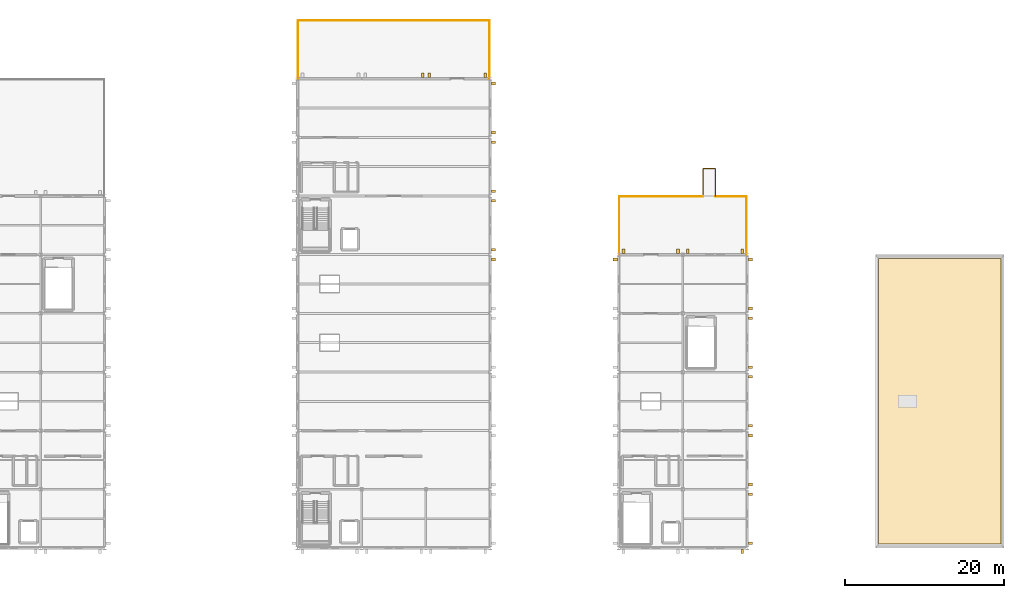
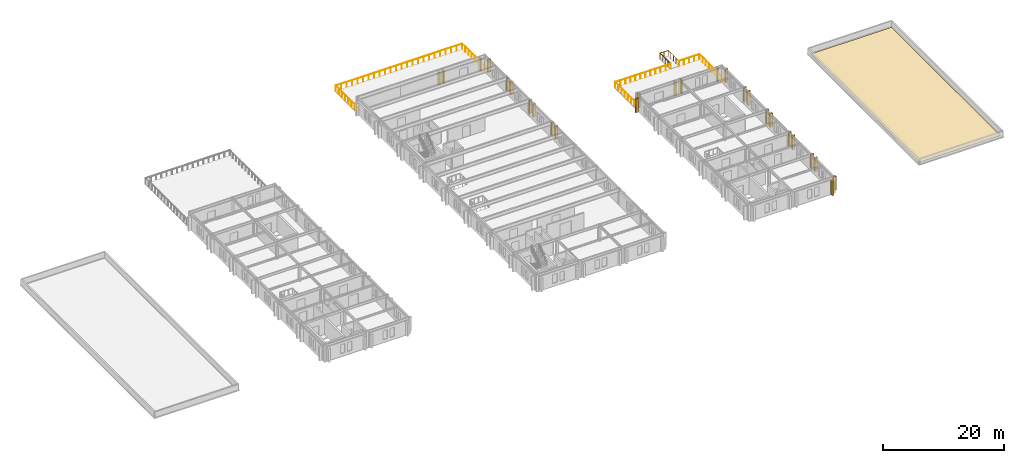
# One storey, part 19 of 19: 26 shading devices, 4 railings, 1 covering.
"""IFC4 building model written with IfcOpenShell, lengths in metres."""

from ifc_helpers import new_model, si_unit, direction, frame, origin, origin_2d, place, context, subcontext, project, spatial, rectangle, circle, extrude, material, layer, layer_set, type_object, element, save


model = new_model("IFC4")

# Units and contexts
model_context = context("Model", 3, precision=1e-05, world=origin(), true_north=direction((0.0, 1.0)))
body_context = subcontext(model_context, "Body", "Model", "MODEL_VIEW")
ifc_project = project(units=[si_unit("LENGTHUNIT", "METRE"), si_unit("AREAUNIT", "SQUARE_METRE"), si_unit("VOLUMEUNIT", "CUBIC_METRE"), si_unit("PLANEANGLEUNIT", "RADIAN"), si_unit("MASSUNIT", "GRAM", prefix="KILO")], contexts=[model_context])

# Site, building, storey
site_placement = place(None, origin())
site = spatial("IfcSite", under=ifc_project, at=site_placement, CompositionType="ELEMENT")
building_placement = place(site_placement, origin())
building = spatial("IfcBuilding", under=site, at=building_placement, Name="Cimatlan Art Gallery", CompositionType="ELEMENT")
storey_placement = place(building_placement, frame((0.0, 0.0, 17.39990234375)))
storey = spatial("IfcBuildingStorey", under=building, at=storey_placement, Name="L04", CompositionType="ELEMENT", Elevation=17.39990234375)

# Covering
ifc_material_1 = material(Name="Standing-seam patinated zinc roofing")
ifc_layer = layer(ifc_material_1, 0.02490234375)
ifc_layer_set = layer_set([ifc_layer], Name="Standing-seam patinated zinc roofing")
covering_type = type_object("IfcCoveringType", Name="COV-ROOF-ZINC-25", PredefinedType="ROOFING", material=ifc_layer_set)
covering_placement = place(storey_placement, frame((155.89990234375, 42.39990234375, 0.000244140625), z_axis=(0.0, 0.0, 1.0), x_axis=(1.0, 0.0, 0.0)))
element("IfcCovering", 1, at=covering_placement, inside=storey, type_object=covering_type, Name="RFG-B5", PredefinedType="ROOFING", context=body_context, shape_type="SweptSolid", body=[
    extrude(rectangle(XDim=15.39990234375, YDim=36.0, at=origin_2d()), origin(), (0.0, 0.0, 1.0), 0.02490234375),
])

# Railings
ifc_material_2 = material(Name="Anodised bronze and laminated glass balustrade", Category="glass")
railing_type = type_object("IfcRailingType", Name="RL-BAL-EXT-1100", PredefinedType="BALUSTRADE", material=ifc_material_2)
railing_1_placement = place(storey_placement, frame((126.0400390625, 68.300048828125, 0.0)))
element("IfcRailing", 2, at=railing_1_placement, inside=storey, type_object=railing_type, Name="RMP-TER-U4-GR-L5", PredefinedType="BALUSTRADE", context=body_context, shape_type="SweptSolid", body=[
    extrude(circle(Radius=0.02587890625, at=origin_2d()), frame((0.0, 0.0, 1.09423828125), z_axis=(0.0, 1.0, 0.0), x_axis=(-1.0, 0.0, 0.0)), (0.0, 0.0, 1.0), 3.449951171875),
    extrude(circle(Radius=0.02587890625, at=origin_2d()), frame((0.0, 3.449951171875, 1.09423828125), z_axis=(1.0, 0.0, 0.0), x_axis=(0.0, 1.0, 0.0)), (0.0, 0.0, 1.0), 1.550048828125),
    extrude(circle(Radius=0.02587890625, at=origin_2d()), frame((1.550048828125, 3.449951171875, 1.09423828125), z_axis=(0.0, -1.0, 0.0), x_axis=(1.0, 0.0, 0.0)), (0.0, 0.0, 1.0), 3.449951171875),
    extrude(circle(Radius=0.02099609375, at=origin_2d()), origin(), (0.0, 0.0, 1.0), 1.068115234375),
    extrude(circle(Radius=0.02099609375, at=origin_2d()), frame((0.0, 0.862548828125, 0.0)), (0.0, 0.0, 1.0), 1.068115234375),
    extrude(circle(Radius=0.02099609375, at=origin_2d()), frame((0.0, 1.72509765625, 0.0)), (0.0, 0.0, 1.0), 1.068115234375),
    extrude(circle(Radius=0.02099609375, at=origin_2d()), frame((0.0, 2.58740234375, 0.0)), (0.0, 0.0, 1.0), 1.068115234375),
    extrude(circle(Radius=0.02099609375, at=origin_2d()), frame((0.0, 3.449951171875, 0.0)), (0.0, 0.0, 1.0), 1.068115234375),
    extrude(circle(Radius=0.02099609375, at=origin_2d()), frame((0.77490234375, 3.449951171875, 0.0)), (0.0, 0.0, 1.0), 1.068115234375),
    extrude(circle(Radius=0.02099609375, at=origin_2d()), frame((1.550048828125, 3.449951171875, 0.0)), (0.0, 0.0, 1.0), 1.068115234375),
    extrude(circle(Radius=0.02099609375, at=origin_2d()), frame((1.550048828125, 2.58740234375, 0.0)), (0.0, 0.0, 1.0), 1.068115234375),
    extrude(circle(Radius=0.02099609375, at=origin_2d()), frame((1.550048828125, 1.72509765625, 0.0)), (0.0, 0.0, 1.0), 1.068115234375),
    extrude(circle(Radius=0.02099609375, at=origin_2d()), frame((1.550048828125, 0.862548828125, 0.0)), (0.0, 0.0, 1.0), 1.068115234375),
    extrude(circle(Radius=0.02099609375, at=origin_2d()), frame((1.550048828125, 0.0, 0.0)), (0.0, 0.0, 1.0), 1.068115234375),
])
railing_2_placement = place(storey_placement, frame((74.97998046875, 83.1201171875, 0.0)))
element("IfcRailing", 3, at=railing_2_placement, inside=storey, type_object=railing_type, Name="GR-TER-26", PredefinedType="BALUSTRADE", context=body_context, shape_type="SweptSolid", body=[
    extrude(circle(Radius=0.02587890625, at=origin_2d()), frame((0.0, 0.0, 1.09423828125), z_axis=(0.0, 1.0, 0.0), x_axis=(-1.0, 0.0, 0.0)), (0.0, 0.0, 1.0), 7.2998046875),
    extrude(circle(Radius=0.02587890625, at=origin_2d()), frame((0.0, 7.2998046875, 1.09423828125), z_axis=(1.0, 0.0, 0.0), x_axis=(0.0, 1.0, 0.0)), (0.0, 0.0, 1.0), 24.14013671875),
    extrude(circle(Radius=0.02587890625, at=origin_2d()), frame((24.14013671875, 7.2998046875, 1.09423828125), z_axis=(0.0, -1.0, 0.0), x_axis=(1.0, 0.0, 0.0)), (0.0, 0.0, 1.0), 7.2998046875),
    extrude(circle(Radius=0.02099609375, at=origin_2d()), origin(), (0.0, 0.0, 1.0), 1.068115234375),
    extrude(circle(Radius=0.02099609375, at=origin_2d()), frame((0.0, 1.042724609375, 0.0)), (0.0, 0.0, 1.0), 1.068115234375),
    extrude(circle(Radius=0.02099609375, at=origin_2d()), frame((0.0, 2.085693359375, 0.0)), (0.0, 0.0, 1.0), 1.068115234375),
    extrude(circle(Radius=0.02099609375, at=origin_2d()), frame((0.0, 3.12841796875, 0.0)), (0.0, 0.0, 1.0), 1.068115234375),
    extrude(circle(Radius=0.02099609375, at=origin_2d()), frame((0.0, 4.17138671875, 0.0)), (0.0, 0.0, 1.0), 1.068115234375),
    extrude(circle(Radius=0.02099609375, at=origin_2d()), frame((0.0, 5.214111328125, 0.0)), (0.0, 0.0, 1.0), 1.068115234375),
    extrude(circle(Radius=0.02099609375, at=origin_2d()), frame((0.0, 6.257080078125, 0.0)), (0.0, 0.0, 1.0), 1.068115234375),
    extrude(circle(Radius=0.02099609375, at=origin_2d()), frame((0.0, 7.2998046875, 0.0)), (0.0, 0.0, 1.0), 1.068115234375),
    extrude(circle(Radius=0.02099609375, at=origin_2d()), frame((1.049560546875, 7.2998046875, 0.0)), (0.0, 0.0, 1.0), 1.068115234375),
    extrude(circle(Radius=0.02099609375, at=origin_2d()), frame((2.09912109375, 7.2998046875, 0.0)), (0.0, 0.0, 1.0), 1.068115234375),
    extrude(circle(Radius=0.02099609375, at=origin_2d()), frame((3.148681640625, 7.2998046875, 0.0)), (0.0, 0.0, 1.0), 1.068115234375),
    extrude(circle(Radius=0.02099609375, at=origin_2d()), frame((4.1982421875, 7.2998046875, 0.0)), (0.0, 0.0, 1.0), 1.068115234375),
    extrude(circle(Radius=0.02099609375, at=origin_2d()), frame((5.247802734375, 7.2998046875, 0.0)), (0.0, 0.0, 1.0), 1.068115234375),
    extrude(circle(Radius=0.02099609375, at=origin_2d()), frame((6.29736328125, 7.2998046875, 0.0)), (0.0, 0.0, 1.0), 1.068115234375),
    extrude(circle(Radius=0.02099609375, at=origin_2d()), frame((7.346923828125, 7.2998046875, 0.0)), (0.0, 0.0, 1.0), 1.068115234375),
    extrude(circle(Radius=0.02099609375, at=origin_2d()), frame((8.396484375, 7.2998046875, 0.0)), (0.0, 0.0, 1.0), 1.068115234375),
    extrude(circle(Radius=0.02099609375, at=origin_2d()), frame((9.446044921875, 7.2998046875, 0.0)), (0.0, 0.0, 1.0), 1.068115234375),
    extrude(circle(Radius=0.02099609375, at=origin_2d()), frame((10.49560546875, 7.2998046875, 0.0)), (0.0, 0.0, 1.0), 1.068115234375),
    extrude(circle(Radius=0.02099609375, at=origin_2d()), frame((11.545166015625, 7.2998046875, 0.0)), (0.0, 0.0, 1.0), 1.068115234375),
    extrude(circle(Radius=0.02099609375, at=origin_2d()), frame((12.594970703125, 7.2998046875, 0.0)), (0.0, 0.0, 1.0), 1.068115234375),
    extrude(circle(Radius=0.02099609375, at=origin_2d()), frame((13.64453125, 7.2998046875, 0.0)), (0.0, 0.0, 1.0), 1.068115234375),
    extrude(circle(Radius=0.02099609375, at=origin_2d()), frame((14.694091796875, 7.2998046875, 0.0)), (0.0, 0.0, 1.0), 1.068115234375),
    extrude(circle(Radius=0.02099609375, at=origin_2d()), frame((15.74365234375, 7.2998046875, 0.0)), (0.0, 0.0, 1.0), 1.068115234375),
    extrude(circle(Radius=0.02099609375, at=origin_2d()), frame((16.793212890625, 7.2998046875, 0.0)), (0.0, 0.0, 1.0), 1.068115234375),
    extrude(circle(Radius=0.02099609375, at=origin_2d()), frame((17.8427734375, 7.2998046875, 0.0)), (0.0, 0.0, 1.0), 1.068115234375),
    extrude(circle(Radius=0.02099609375, at=origin_2d()), frame((18.892333984375, 7.2998046875, 0.0)), (0.0, 0.0, 1.0), 1.068115234375),
    extrude(circle(Radius=0.02099609375, at=origin_2d()), frame((19.94189453125, 7.2998046875, 0.0)), (0.0, 0.0, 1.0), 1.068115234375),
    extrude(circle(Radius=0.02099609375, at=origin_2d()), frame((20.991455078125, 7.2998046875, 0.0)), (0.0, 0.0, 1.0), 1.068115234375),
    extrude(circle(Radius=0.02099609375, at=origin_2d()), frame((22.041015625, 7.2998046875, 0.0)), (0.0, 0.0, 1.0), 1.068115234375),
    extrude(circle(Radius=0.02099609375, at=origin_2d()), frame((23.090576171875, 7.2998046875, 0.0)), (0.0, 0.0, 1.0), 1.068115234375),
    extrude(circle(Radius=0.02099609375, at=origin_2d()), frame((24.14013671875, 7.2998046875, 0.0)), (0.0, 0.0, 1.0), 1.068115234375),
    extrude(circle(Radius=0.02099609375, at=origin_2d()), frame((24.14013671875, 6.257080078125, 0.0)), (0.0, 0.0, 1.0), 1.068115234375),
    extrude(circle(Radius=0.02099609375, at=origin_2d()), frame((24.14013671875, 5.214111328125, 0.0)), (0.0, 0.0, 1.0), 1.068115234375),
    extrude(circle(Radius=0.02099609375, at=origin_2d()), frame((24.14013671875, 4.17138671875, 0.0)), (0.0, 0.0, 1.0), 1.068115234375),
    extrude(circle(Radius=0.02099609375, at=origin_2d()), frame((24.14013671875, 3.12841796875, 0.0)), (0.0, 0.0, 1.0), 1.068115234375),
    extrude(circle(Radius=0.02099609375, at=origin_2d()), frame((24.14013671875, 2.085693359375, 0.0)), (0.0, 0.0, 1.0), 1.068115234375),
    extrude(circle(Radius=0.02099609375, at=origin_2d()), frame((24.14013671875, 1.042724609375, 0.0)), (0.0, 0.0, 1.0), 1.068115234375),
    extrude(circle(Radius=0.02099609375, at=origin_2d()), frame((24.14013671875, 0.0, 0.0)), (0.0, 0.0, 1.0), 1.068115234375),
])
railing_3_placement = place(storey_placement, frame((115.47998046875, 60.919921875, 0.0)))
element("IfcRailing", 4, at=railing_3_placement, inside=storey, type_object=railing_type, Name="GR-TER-27", PredefinedType="BALUSTRADE", context=body_context, shape_type="SweptSolid", body=[
    extrude(circle(Radius=0.02587890625, at=origin_2d()), frame((0.0, 0.0, 1.09423828125), z_axis=(0.0, 1.0, 0.0), x_axis=(-1.0, 0.0, 0.0)), (0.0, 0.0, 1.0), 7.300048828125),
    extrude(circle(Radius=0.02587890625, at=origin_2d()), frame((0.0, 7.300048828125, 1.09423828125), z_axis=(1.0, 0.0, 0.0), x_axis=(0.0, 1.0, 0.0)), (0.0, 0.0, 1.0), 10.550048828125),
    extrude(circle(Radius=0.02099609375, at=origin_2d()), origin(), (0.0, 0.0, 1.0), 1.068115234375),
    extrude(circle(Radius=0.02099609375, at=origin_2d()), frame((0.0, 1.04296875, 0.0)), (0.0, 0.0, 1.0), 1.068115234375),
    extrude(circle(Radius=0.02099609375, at=origin_2d()), frame((0.0, 2.085693359375, 0.0)), (0.0, 0.0, 1.0), 1.068115234375),
    extrude(circle(Radius=0.02099609375, at=origin_2d()), frame((0.0, 3.128662109375, 0.0)), (0.0, 0.0, 1.0), 1.068115234375),
    extrude(circle(Radius=0.02099609375, at=origin_2d()), frame((0.0, 4.17138671875, 0.0)), (0.0, 0.0, 1.0), 1.068115234375),
    extrude(circle(Radius=0.02099609375, at=origin_2d()), frame((0.0, 5.21435546875, 0.0)), (0.0, 0.0, 1.0), 1.068115234375),
    extrude(circle(Radius=0.02099609375, at=origin_2d()), frame((0.0, 6.257080078125, 0.0)), (0.0, 0.0, 1.0), 1.068115234375),
    extrude(circle(Radius=0.02099609375, at=origin_2d()), frame((0.0, 7.300048828125, 0.0)), (0.0, 0.0, 1.0), 1.068115234375),
    extrude(circle(Radius=0.02099609375, at=origin_2d()), frame((0.958984375, 7.300048828125, 0.0)), (0.0, 0.0, 1.0), 1.068115234375),
    extrude(circle(Radius=0.02099609375, at=origin_2d()), frame((1.918212890625, 7.300048828125, 0.0)), (0.0, 0.0, 1.0), 1.068115234375),
    extrude(circle(Radius=0.02099609375, at=origin_2d()), frame((2.877197265625, 7.300048828125, 0.0)), (0.0, 0.0, 1.0), 1.068115234375),
    extrude(circle(Radius=0.02099609375, at=origin_2d()), frame((3.83642578125, 7.300048828125, 0.0)), (0.0, 0.0, 1.0), 1.068115234375),
    extrude(circle(Radius=0.02099609375, at=origin_2d()), frame((4.79541015625, 7.300048828125, 0.0)), (0.0, 0.0, 1.0), 1.068115234375),
    extrude(circle(Radius=0.02099609375, at=origin_2d()), frame((5.754638671875, 7.300048828125, 0.0)), (0.0, 0.0, 1.0), 1.068115234375),
    extrude(circle(Radius=0.02099609375, at=origin_2d()), frame((6.713623046875, 7.300048828125, 0.0)), (0.0, 0.0, 1.0), 1.068115234375),
    extrude(circle(Radius=0.02099609375, at=origin_2d()), frame((7.6728515625, 7.300048828125, 0.0)), (0.0, 0.0, 1.0), 1.068115234375),
    extrude(circle(Radius=0.02099609375, at=origin_2d()), frame((8.6318359375, 7.300048828125, 0.0)), (0.0, 0.0, 1.0), 1.068115234375),
    extrude(circle(Radius=0.02099609375, at=origin_2d()), frame((9.591064453125, 7.300048828125, 0.0)), (0.0, 0.0, 1.0), 1.068115234375),
    extrude(circle(Radius=0.02099609375, at=origin_2d()), frame((10.550048828125, 7.300048828125, 0.0)), (0.0, 0.0, 1.0), 1.068115234375),
])
railing_4_placement = place(storey_placement, frame((127.60009765625, 68.219970703125, 0.0)))
element("IfcRailing", 5, at=railing_4_placement, inside=storey, type_object=railing_type, Name="GR-TER-28", PredefinedType="BALUSTRADE", context=body_context, shape_type="SweptSolid", body=[
    extrude(circle(Radius=0.02587890625, at=origin_2d()), frame((0.0, 0.0, 1.09423828125), z_axis=(1.0, 0.0, 0.0), x_axis=(0.0, 1.0, 0.0)), (0.0, 0.0, 1.0), 3.919921875),
    extrude(circle(Radius=0.02587890625, at=origin_2d()), frame((3.919921875, 0.0, 1.09423828125), z_axis=(0.0, -1.0, 0.0), x_axis=(1.0, 0.0, 0.0)), (0.0, 0.0, 1.0), 7.300048828125),
    extrude(circle(Radius=0.02099609375, at=origin_2d()), origin(), (0.0, 0.0, 1.0), 1.068115234375),
    extrude(circle(Radius=0.02099609375, at=origin_2d()), frame((0.97998046875, 0.0, 0.0)), (0.0, 0.0, 1.0), 1.068115234375),
    extrude(circle(Radius=0.02099609375, at=origin_2d()), frame((1.9599609375, 0.0, 0.0)), (0.0, 0.0, 1.0), 1.068115234375),
    extrude(circle(Radius=0.02099609375, at=origin_2d()), frame((2.93994140625, 0.0, 0.0)), (0.0, 0.0, 1.0), 1.068115234375),
    extrude(circle(Radius=0.02099609375, at=origin_2d()), frame((3.919921875, 0.0, 0.0)), (0.0, 0.0, 1.0), 1.068115234375),
    extrude(circle(Radius=0.02099609375, at=origin_2d()), frame((3.919921875, -1.04296875, 0.0)), (0.0, 0.0, 1.0), 1.068115234375),
    extrude(circle(Radius=0.02099609375, at=origin_2d()), frame((3.919921875, -2.085693359375, 0.0)), (0.0, 0.0, 1.0), 1.068115234375),
    extrude(circle(Radius=0.02099609375, at=origin_2d()), frame((3.919921875, -3.128662109375, 0.0)), (0.0, 0.0, 1.0), 1.068115234375),
    extrude(circle(Radius=0.02099609375, at=origin_2d()), frame((3.919921875, -4.17138671875, 0.0)), (0.0, 0.0, 1.0), 1.068115234375),
    extrude(circle(Radius=0.02099609375, at=origin_2d()), frame((3.919921875, -5.21435546875, 0.0)), (0.0, 0.0, 1.0), 1.068115234375),
    extrude(circle(Radius=0.02099609375, at=origin_2d()), frame((3.919921875, -6.257080078125, 0.0)), (0.0, 0.0, 1.0), 1.068115234375),
    extrude(circle(Radius=0.02099609375, at=origin_2d()), frame((3.919921875, -7.300048828125, 0.0)), (0.0, 0.0, 1.0), 1.068115234375),
])

# Shading devices
ifc_material_3 = material(Name="Queretaro cantera limestone buttress pilaster", Category="masonry")
shading_device_type = type_object("IfcShadingDeviceType", Name="SHD-BUT-520", PredefinedType="USERDEFINED", material=ifc_material_3)
for number, where, z_axis, x_axis, name in (
    (6, (90.676025390625, 83.528076171875, 0.06005859375), (0.0, 0.0, 1.0), (1.0, 0.0, 0.0), "BUT-0504"),
    (7, (99.6279296875, 60.2880859375, 0.06005859375), (0.0, 0.0, 1.0), (0.0, -1.0, 0.0), "BUT-0515"),
    (8, (99.6279296875, 67.68798828125, 0.06005859375), (0.0, 0.0, 1.0), (0.0, -1.0, 0.0), "BUT-0517"),
    (9, (99.6279296875, 61.511962890625, 0.06005859375), (0.0, 0.0, 1.0), (0.0, -1.0, 0.0), "BUT-0518"),
    (10, (99.6279296875, 75.087890625, 0.06005859375), (0.0, 0.0, 1.0), (0.0, -1.0, 0.0), "BUT-0519"),
    (11, (99.6279296875, 68.912109375, 0.06005859375), (0.0, 0.0, 1.0), (0.0, -1.0, 0.0), "BUT-0520"),
    (12, (91.52392578125, 83.528076171875, 0.06005859375), (0.0, 0.0, 1.0), (1.0, 0.0, 0.0), "BUT-0521"),
    (13, (98.5791015625, 83.528076171875, 0.06005859375), (0.0, 0.0, 1.0), (1.0, 0.0, 0.0), "BUT-0522"),
    (14, (99.6279296875, 82.488037109375, 0.06005859375), (0.0, 0.0, 1.0), (0.0, -1.0, 0.0), "BUT-0523"),
    (15, (99.6279296875, 76.31201171875, 0.06005859375), (0.0, 0.0, 1.0), (0.0, -1.0, 0.0), "BUT-0524"),
):
    element("IfcShadingDevice", number, at=place(storey_placement, frame(where, z_axis=z_axis, x_axis=x_axis)), inside=storey, type_object=shading_device_type, Name=name, ObjectType="FIN", PredefinedType="USERDEFINED", context=body_context, shape_type="SweptSolid", body=[
        extrude(rectangle(XDim=0.340087890625, YDim=0.52001953125, at=origin_2d()), origin(), (0.0, 0.0, 1.0), 2.56103515625),
    ])
for number, where, z_axis, x_axis, name in (
    (16, (116.010986328125, 61.327880859375, 0.06005859375), (0.0, 0.0, 1.0), (1.0, 0.0, 0.0), "BUT-0535"),
    (17, (122.888916015625, 61.327880859375, 0.06005859375), (0.0, 0.0, 1.0), (1.0, 0.0, 0.0), "BUT-0536"),
    (18, (114.971923828125, 60.2900390625, 0.06005859375), (0.0, 0.0, 1.0), (0.0, 1.0, 0.0), "BUT-0538"),
    (19, (130.989013671875, 23.471923828125, 0.06005859375), (0.0, 0.0, 1.0), (-1.0, 0.0, 0.0), "BUT-0539"),
    (20, (132.028076171875, 30.68994140625, 0.06005859375), (0.0, 0.0, 1.0), (0.0, -1.0, 0.0), "BUT-0541"),
    (21, (132.028076171875, 24.510009765625, 0.06005859375), (0.0, 0.0, 1.0), (0.0, -1.0, 0.0), "BUT-0542"),
    (22, (132.028076171875, 38.090087890625, 0.06005859375), (0.0, 0.0, 1.0), (0.0, -1.0, 0.0), "BUT-0543"),
    (23, (132.028076171875, 31.909912109375, 0.06005859375), (0.0, 0.0, 1.0), (0.0, -1.0, 0.0), "BUT-0544"),
    (24, (132.028076171875, 45.489990234375, 0.06005859375), (0.0, 0.0, 1.0), (0.0, -1.0, 0.0), "BUT-0545"),
    (25, (132.028076171875, 39.31005859375, 0.06005859375), (0.0, 0.0, 1.0), (0.0, -1.0, 0.0), "BUT-0546"),
    (26, (132.028076171875, 52.889892578125, 0.06005859375), (0.0, 0.0, 1.0), (0.0, -1.0, 0.0), "BUT-0547"),
    (27, (132.028076171875, 46.7099609375, 0.06005859375), (0.0, 0.0, 1.0), (0.0, -1.0, 0.0), "BUT-0548"),
    (28, (124.111083984375, 61.327880859375, 0.06005859375), (0.0, 0.0, 1.0), (1.0, 0.0, 0.0), "BUT-0549"),
    (29, (130.989013671875, 61.327880859375, 0.06005859375), (0.0, 0.0, 1.0), (1.0, 0.0, 0.0), "BUT-0550"),
    (30, (132.028076171875, 60.2900390625, 0.06005859375), (0.0, 0.0, 1.0), (0.0, -1.0, 0.0), "BUT-0551"),
    (31, (132.028076171875, 54.110107421875, 0.06005859375), (0.0, 0.0, 1.0), (0.0, -1.0, 0.0), "BUT-0552"),
):
    element("IfcShadingDevice", number, at=place(storey_placement, frame(where, z_axis=z_axis, x_axis=x_axis)), inside=storey, type_object=shading_device_type, Name=name, ObjectType="FIN", PredefinedType="USERDEFINED", context=body_context, shape_type="SweptSolid", body=[
        extrude(rectangle(XDim=0.340087890625, YDim=0.52001953125, at=origin_2d()), origin(), (0.0, 0.0, 1.0), 2.7880859375),
    ])

save(model, "model.ifc")
